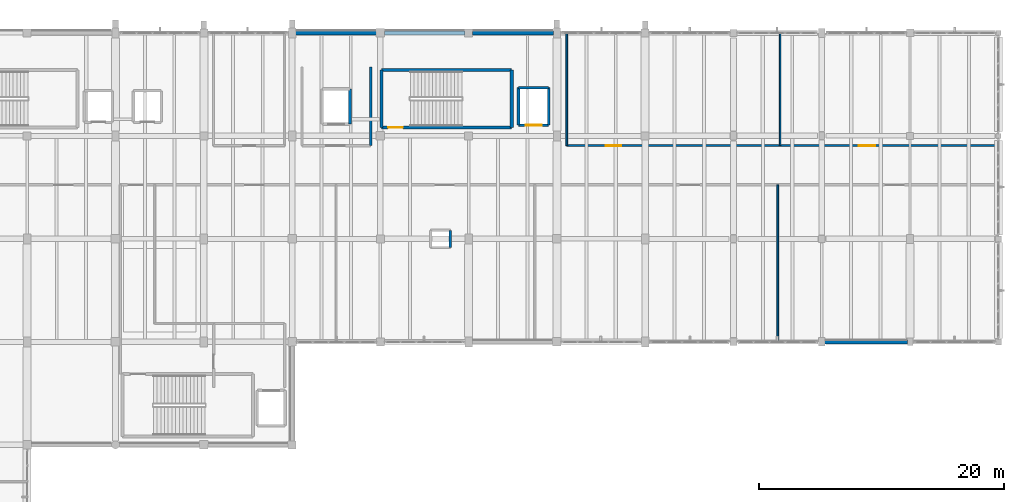
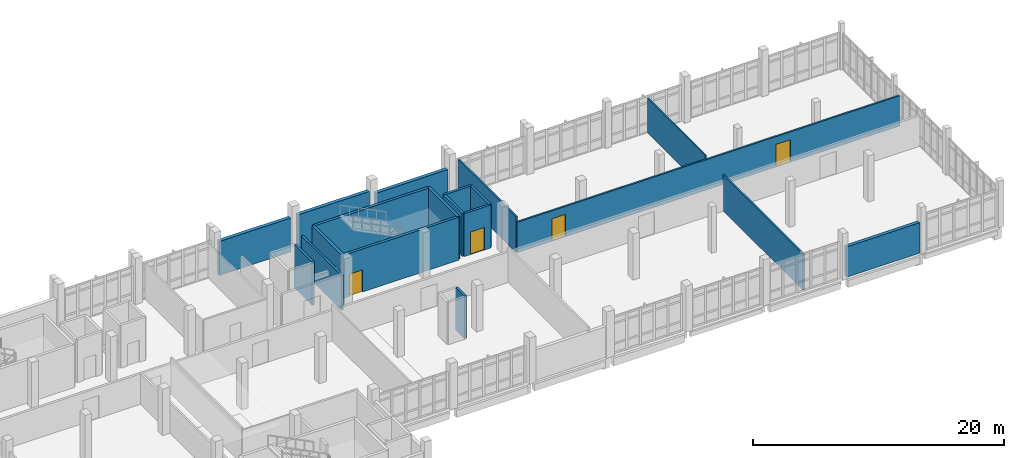
# One storey, part 51 of 57: 19 walls, 4 doors, 4 openings.
"""IFC4 building model written with IfcOpenShell, lengths in metres."""

from ifc_helpers import new_model, si_unit, direction, frame, frame_2d, origin, place, context, subcontext, project, spatial, rectangle, extrude, material, layer, layer_set, type_object, element, fill, save


model = new_model("IFC4")

# Units and contexts
model_context = context("Model", 3, precision=1e-05, world=origin(), true_north=direction((0.0, 1.0)))
body_context = subcontext(model_context, "Body", "Model", "MODEL_VIEW")
ifc_project = project(units=[si_unit("LENGTHUNIT", "METRE"), si_unit("AREAUNIT", "SQUARE_METRE"), si_unit("VOLUMEUNIT", "CUBIC_METRE"), si_unit("PLANEANGLEUNIT", "RADIAN"), si_unit("MASSUNIT", "GRAM", prefix="KILO")], contexts=[model_context])

# Site, building, storey
site_placement = place(None, origin())
site = spatial("IfcSite", under=ifc_project, at=site_placement, CompositionType="ELEMENT")
building_placement = place(site_placement, origin())
building = spatial("IfcBuilding", under=site, at=building_placement, Name="Kalluvel Institute of Natural Sciences", CompositionType="ELEMENT")
storey_placement = place(building_placement, frame((0.0, 0.0, 23.39990234375)))
storey = spatial("IfcBuildingStorey", under=building, at=storey_placement, Name="L05", CompositionType="ELEMENT", Elevation=23.39990234375)

# Wall, opening, door
ifc_material_1 = material(Name="Concrete M40", Category="concrete")
ifc_layer_1 = layer(ifc_material_1, 0.25)
ifc_layer_set_1 = layer_set([ifc_layer_1], Name="Concrete M40")
wall_type_1 = type_object("IfcWallType", Name="WL-CORE-250", PredefinedType="SHEAR", material=ifc_layer_set_1)
wall_1_placement = place(storey_placement, frame((64.485107421875, 120.284912109375, 0.0), z_axis=(0.0, 0.0, 1.0), x_axis=(1.0, 0.0, 0.0)))
wall_1 = element("IfcWall", 1, at=wall_1_placement, inside=storey, type_object=wall_type_1, Name="ST2 L05 core wall S", PredefinedType="SHEAR", context=body_context, shape_type="SweptSolid", body=[
    extrude(rectangle(XDim=10.6298828125, YDim=0.25, at=frame_2d((5.31494140625, 0.0))), origin(), (0.0, 0.0, 1.0), 4.175048828125),
])
opening_1_placement = place(wall_1_placement, frame((0.550048828125, 0.0, 0.0)))
opening_1 = element("IfcOpeningElement", 2, at=opening_1_placement, cuts=wall_1, Name="Opening DS-018", PredefinedType="OPENING", context=body_context, shape_type="SweptSolid", body=[
    extrude(rectangle(XDim=1.199951171875, YDim=2.14990234375, at=frame_2d((0.60009765625, 1.074951171875))), frame((0.0, 0.135009765625, 0.0), z_axis=(0.0, -1.0, 0.0), x_axis=(1.0, 0.0, 0.0)), (0.0, 0.0, 1.0), 0.27001953125),
])
ifc_material_2 = material(Name="Galvanized Fire-Rated Steel", Category="steel")
door_type_1 = type_object("IfcDoorType", Name="DR-ST-1200", OperationType="NOTDEFINED", PredefinedType="DOOR", material=ifc_material_2)
door_1_placement = place(opening_1_placement, origin())
door_1 = element("IfcDoor", 3, at=door_1_placement, inside=storey, type_object=door_type_1, Name="ST2 L05 protected stair door DS-018", OperationType="SINGLE_SWING_LEFT", OverallHeight=2.14990234375, OverallWidth=1.199951171875, PredefinedType="DOOR", context=body_context, shape_type="SweptSolid", body=[
    extrude(rectangle(XDim=1.199951171875, YDim=2.14990234375, at=frame_2d((0.60009765625, 1.074951171875))), frame((0.0, 0.02490234375, 0.0), z_axis=(0.0, -1.0, 0.0), x_axis=(1.0, 0.0, 0.0)), (0.0, 0.0, 1.0), 0.050048828125),
])
fill(opening_1, door_1)

# Walls
wall_2_placement = place(storey_placement, frame((75.114990234375, 120.284912109375, 0.0), z_axis=(0.0, 0.0, 1.0), x_axis=(0.0, 1.0, 0.0)))
element("IfcWall", 4, at=wall_2_placement, inside=storey, type_object=wall_type_1, Name="ST2 L05 core wall E", PredefinedType="SHEAR", context=body_context, shape_type="SweptSolid", body=[
    extrude(rectangle(XDim=4.7001953125, YDim=0.25, at=frame_2d((2.35009765625, 0.0))), origin(), (0.0, 0.0, 1.0), 4.175048828125),
])
wall_3_placement = place(storey_placement, frame((75.114990234375, 124.985107421875, 0.0), z_axis=(0.0, 0.0, 1.0), x_axis=(-1.0, 0.0, 0.0)))
element("IfcWall", 5, at=wall_3_placement, inside=storey, type_object=wall_type_1, Name="ST2 L05 core wall N", PredefinedType="SHEAR", context=body_context, shape_type="SweptSolid", body=[
    extrude(rectangle(XDim=10.6298828125, YDim=0.25, at=frame_2d((5.31494140625, 0.0))), origin(), (0.0, 0.0, 1.0), 4.175048828125),
])
wall_4_placement = place(storey_placement, frame((64.485107421875, 124.985107421875, 0.0), z_axis=(0.0, 0.0, 1.0), x_axis=(0.0, -1.0, 0.0)))
element("IfcWall", 6, at=wall_4_placement, inside=storey, type_object=wall_type_1, Name="ST2 L05 core wall W", PredefinedType="SHEAR", context=body_context, shape_type="SweptSolid", body=[
    extrude(rectangle(XDim=4.7001953125, YDim=0.25, at=frame_2d((2.35009765625, 0.0))), origin(), (0.0, 0.0, 1.0), 4.175048828125),
])
ifc_material_3 = material(Name="Sadarahalli Grey Granite Ashlar Concrete M40", Category="masonry")
ifc_layer_2 = layer(ifc_material_3, 0.300048828125)
ifc_layer_set_2 = layer_set([ifc_layer_2], Name="Sadarahalli Grey Granite Ashlar Concrete M40")
wall_type_2 = type_object("IfcWallType", Name="WL-EXT-300", PredefinedType="SOLIDWALL", material=ifc_layer_set_2)
wall_5_placement = place(storey_placement, frame((100.6298828125, 102.800048828125, 0.0), z_axis=(0.0, 0.0, 1.0), x_axis=(1.0, 0.0, 0.0)))
element("IfcWall", 7, at=wall_5_placement, inside=storey, type_object=wall_type_2, Name="L05 Sadarahalli granite exterior wall WL-EXT-L05-0070", PredefinedType="SOLIDWALL", context=body_context, shape_type="SweptSolid", body=[
    extrude(rectangle(XDim=6.76513671875, YDim=0.300048828125, at=frame_2d((3.382568359375, 0.0))), origin(), (0.0, 0.0, 1.0), 2.955078125),
])
ifc_layer_3 = layer(ifc_material_3, 0.320068359375)
ifc_layer_set_3 = layer_set([ifc_layer_3], Name="Sadarahalli Grey Granite Ashlar Concrete M40")
wall_type_3 = type_object("IfcWallType", Name="WL-EXT-320", PredefinedType="SOLIDWALL", material=ifc_layer_set_3)
wall_6_placement = place(storey_placement, frame((57.47998046875, 128.0, 0.0), z_axis=(0.0, 0.0, 1.0), x_axis=(1.0, 0.0, 0.0)))
element("IfcWall", 8, at=wall_6_placement, inside=storey, type_object=wall_type_3, Name="L05 Sadarahalli granite exterior wall WL-EXT-L05-0066", PredefinedType="SOLIDWALL", context=body_context, shape_type="SweptSolid", body=[
    extrude(rectangle(XDim=6.590087890625, YDim=0.320068359375, at=frame_2d((3.294921875, 0.0))), origin(), (0.0, 0.0, 1.0), 3.30517578125),
])
wall_7_placement = place(storey_placement, frame((64.72998046875, 128.0, 0.0), z_axis=(0.0, 0.0, 1.0), x_axis=(1.0, 0.0, 0.0)))
element("IfcWall", 9, at=wall_7_placement, inside=storey, type_object=wall_type_3, Name="L05 Sadarahalli granite exterior wall WL-EXT-L05-0067", PredefinedType="SOLIDWALL", context=body_context, shape_type="SweptSolid", body=[
    extrude(rectangle(XDim=6.56494140625, YDim=0.320068359375, at=frame_2d((3.282470703125, 0.0))), origin(), (0.0, 0.0, 1.0), 3.35498046875),
])
wall_8_placement = place(storey_placement, frame((71.905029296875, 128.0, 0.0), z_axis=(0.0, 0.0, 1.0), x_axis=(1.0, 0.0, 0.0)))
element("IfcWall", 10, at=wall_8_placement, inside=storey, type_object=wall_type_3, Name="L05 Sadarahalli granite exterior wall WL-EXT-L05-0068", PredefinedType="SOLIDWALL", context=body_context, shape_type="SweptSolid", body=[
    extrude(rectangle(XDim=6.614990234375, YDim=0.320068359375, at=frame_2d((3.3076171875, 0.0))), origin(), (0.0, 0.0, 1.0), 2.955078125),
])
ifc_material_4 = material(Name="Autoclaved Aerated Concrete Masonry Block", Category="masonry")
ifc_layer_4 = layer(ifc_material_4, 0.199951171875)
ifc_layer_set_4 = layer_set([ifc_layer_4], Name="Autoclaved Aerated Concrete Masonry Block")
wall_type_4 = type_object("IfcWallType", Name="WL-FIRE-200", PredefinedType="SOLIDWALL", material=ifc_layer_set_4)
wall_9_placement = place(storey_placement, frame((63.60009765625, 118.800048828125, 0.0), z_axis=(0.0, 0.0, 1.0), x_axis=(0.0, 1.0, 0.0)))
element("IfcWall", 11, at=wall_9_placement, inside=storey, type_object=wall_type_4, Name="L05 interior fire wall WL-INT-L05-0242", PredefinedType="SOLIDWALL", context=body_context, shape_type="SweptSolid", body=[
    extrude(rectangle(XDim=6.39990234375, YDim=0.199951171875, at=frame_2d((3.199951171875, 0.0))), origin(), (0.0, 0.0, 1.0), 3.360107421875),
])
ifc_material_5 = material(Name="Acoustic Gypsum Twin-Stud Partition", Category="gypsum")
ifc_layer_5 = layer(ifc_material_5, 0.1201171875)
ifc_layer_set_5 = layer_set([ifc_layer_5], Name="Acoustic Gypsum Twin-Stud Partition")
wall_type_5 = type_object("IfcWallType", Name="WL-PART-120", PredefinedType="PARTITIONING", material=ifc_layer_set_5)
wall_10_placement = place(storey_placement, frame((97.0, 118.800048828125, 0.0), z_axis=(0.0, 0.0, 1.0), x_axis=(0.0, 1.0, 0.0)))
element("IfcWall", 12, at=wall_10_placement, inside=storey, type_object=wall_type_5, Name="L05 interior partition wall WL-INT-L05-0260", PredefinedType="PARTITIONING", context=body_context, shape_type="SweptSolid", body=[
    extrude(rectangle(XDim=9.199951171875, YDim=0.1201171875, at=frame_2d((4.60009765625, 0.0))), origin(), (0.0, 0.0, 1.0), 3.360107421875),
])
ifc_layer_6 = layer(ifc_material_5, 0.139892578125)
ifc_layer_set_6 = layer_set([ifc_layer_6], Name="Acoustic Gypsum Twin-Stud Partition")
wall_type_6 = type_object("IfcWallType", Name="WL-PART-140", PredefinedType="PARTITIONING", material=ifc_layer_set_6)
wall_11_placement = place(storey_placement, frame((79.60009765625, 118.800048828125, 0.0), z_axis=(0.0, 0.0, 1.0), x_axis=(0.0, 1.0, 0.0)))
element("IfcWall", 13, at=wall_11_placement, inside=storey, type_object=wall_type_6, Name="L05 interior partition wall WL-INT-L05-0259", PredefinedType="PARTITIONING", context=body_context, shape_type="SweptSolid", body=[
    extrude(rectangle(XDim=9.199951171875, YDim=0.139892578125, at=frame_2d((4.60009765625, 0.0))), origin(), (0.0, 0.0, 1.0), 3.510009765625),
])
wall_12_placement = place(storey_placement, frame((96.800048828125, 102.800048828125, 0.0), z_axis=(0.0, 0.0, 1.0), x_axis=(0.0, 1.0, 0.0)))
element("IfcWall", 14, at=wall_12_placement, inside=storey, type_object=wall_type_6, Name="L05 interior partition wall WL-INT-L05-0265", PredefinedType="PARTITIONING", context=body_context, shape_type="SweptSolid", body=[
    extrude(rectangle(XDim=12.800048828125, YDim=0.139892578125, at=frame_2d((6.39990234375, 0.0))), origin(), (0.0, 0.0, 1.0), 3.510009765625),
])

# Wall, openings, doors
ifc_layer_7 = layer(ifc_material_4, 0.159912109375)
ifc_layer_set_7 = layer_set([ifc_layer_7], Name="Autoclaved Aerated Concrete Masonry Block")
wall_type_7 = type_object("IfcWallType", Name="WL-PART-160", PredefinedType="PARTITIONING", material=ifc_layer_set_7)
wall_13_placement = place(storey_placement, frame((79.60009765625, 118.800048828125, 0.0), z_axis=(0.0, 0.0, 1.0), x_axis=(1.0, 0.0, 0.0)))
wall_13 = element("IfcWall", 15, at=wall_13_placement, inside=storey, type_object=wall_type_7, Name="L05 interior partition wall WL-INT-L05-0258", PredefinedType="PARTITIONING", context=body_context, shape_type="SweptSolid", body=[
    extrude(rectangle(XDim=35.199951171875, YDim=0.159912109375, at=frame_2d((17.60009765625, 0.0))), origin(), (0.0, 0.0, 1.0), 2.960205078125),
])
opening_2_placement = place(wall_13_placement, frame((3.199951171875, 0.0, 0.0)))
opening_2 = element("IfcOpeningElement", 16, at=opening_2_placement, cuts=wall_13, Name="Opening D-198", PredefinedType="OPENING", context=body_context, shape_type="SweptSolid", body=[
    extrude(rectangle(XDim=1.25, YDim=2.199951171875, at=frame_2d((0.625, 1.10009765625))), frame((0.0, 0.08984375, 0.0), z_axis=(0.0, -1.0, 0.0), x_axis=(1.0, 0.0, 0.0)), (0.0, 0.0, 1.0), 0.179931640625),
])
opening_3_placement = place(wall_13_placement, frame((23.800048828125, 0.0, 0.0)))
opening_3 = element("IfcOpeningElement", 17, at=opening_3_placement, cuts=wall_13, Name="Opening D-199", PredefinedType="OPENING", context=body_context, shape_type="SweptSolid", body=[
    extrude(rectangle(XDim=1.35009765625, YDim=2.199951171875, at=frame_2d((0.675048828125, 1.10009765625))), frame((0.0, 0.08984375, 0.0), z_axis=(0.0, -1.0, 0.0), x_axis=(1.0, 0.0, 0.0)), (0.0, 0.0, 1.0), 0.179931640625),
])
ifc_material_6 = material(Name="Engineered Hardwood Acoustic Leaf", Category="wood")
door_type_2 = type_object("IfcDoorType", Name="DR-INT-1250", OperationType="NOTDEFINED", PredefinedType="DOOR", material=ifc_material_6)
door_2_placement = place(opening_2_placement, origin())
door_2 = element("IfcDoor", 18, at=door_2_placement, inside=storey, type_object=door_type_2, Name="L05 NE1 door D-198", OperationType="SINGLE_SWING_LEFT", OverallHeight=2.199951171875, OverallWidth=1.25, PredefinedType="DOOR", context=body_context, shape_type="SweptSolid", body=[
    extrude(rectangle(XDim=1.25, YDim=2.199951171875, at=frame_2d((0.625, 1.10009765625))), frame((0.0, 0.02490234375, 0.0), z_axis=(0.0, -1.0, 0.0), x_axis=(1.0, 0.0, 0.0)), (0.0, 0.0, 1.0), 0.050048828125),
])
fill(opening_2, door_2)
ifc_material_7 = material(Name="Aluminium AW-6063 T6", Category="aluminium")
door_type_3 = type_object("IfcDoorType", Name="DR-INT-1350", OperationType="NOTDEFINED", PredefinedType="DOOR", material=ifc_material_7)
door_3_placement = place(opening_3_placement, origin())
door_3 = element("IfcDoor", 19, at=door_3_placement, inside=storey, type_object=door_type_3, Name="L05 NE2 door D-199", OperationType="SINGLE_SWING_RIGHT", OverallHeight=2.199951171875, OverallWidth=1.35009765625, PredefinedType="DOOR", context=body_context, shape_type="SweptSolid", body=[
    extrude(rectangle(XDim=1.35009765625, YDim=2.199951171875, at=frame_2d((0.675048828125, 1.10009765625))), frame((0.0, 0.02490234375, 0.0), z_axis=(0.0, -1.0, 0.0), x_axis=(1.0, 0.0, 0.0)), (0.0, 0.0, 1.0), 0.050048828125),
])
fill(opening_3, door_3)

# Walls
ifc_layer_8 = layer(ifc_material_1, 0.199951171875)
ifc_layer_set_8 = layer_set([ifc_layer_8], Name="Concrete M40")
wall_type_8 = type_object("IfcWallType", Name="WL-RISER-200", PredefinedType="SHEAR", material=ifc_layer_set_8)
wall_14_placement = place(storey_placement, frame((70.10009765625, 110.5, 0.0), z_axis=(0.0, 0.0, 1.0), x_axis=(0.0, 1.0, 0.0)))
element("IfcWall", 20, at=wall_14_placement, inside=storey, type_object=wall_type_8, Name="RS-WET-E L05 service riser enclosure E", PredefinedType="SHEAR", context=body_context, shape_type="SweptSolid", body=[
    extrude(rectangle(XDim=1.39990234375, YDim=0.199951171875, at=frame_2d((0.699951171875, 0.0))), origin(), (0.0, 0.0, 1.0), 4.14013671875),
])
ifc_layer_9 = layer(ifc_material_1, 0.219970703125)
ifc_layer_set_9 = layer_set([ifc_layer_9], Name="Concrete M40")
wall_type_9 = type_object("IfcWallType", Name="WL-SHAFT-220", PredefinedType="SHEAR", material=ifc_layer_set_9)
wall_15_placement = place(storey_placement, frame((61.929931640625, 120.570068359375, 0.0), z_axis=(0.0, 0.0, 1.0), x_axis=(0.0, 1.0, 0.0)))
element("IfcWall", 21, at=wall_15_placement, inside=storey, type_object=wall_type_9, Name="LF3 L05 lift shaft wall", PredefinedType="SHEAR", context=body_context, shape_type="SweptSolid", body=[
    extrude(rectangle(XDim=2.85986328125, YDim=0.219970703125, at=frame_2d((1.429931640625, 0.0))), origin(), (0.0, 0.0, 1.0), 4.175048828125),
])

# Wall, opening, door
wall_16_placement = place(storey_placement, frame((75.669921875, 120.469970703125, 0.0), z_axis=(0.0, 0.0, 1.0), x_axis=(1.0, 0.0, 0.0)))
wall_16 = element("IfcWall", 22, at=wall_16_placement, inside=storey, type_object=wall_type_9, Name="LF4 L05 lift shaft wall", PredefinedType="SHEAR", context=body_context, shape_type="SweptSolid", body=[
    extrude(rectangle(XDim=2.4599609375, YDim=0.219970703125, at=frame_2d((1.22998046875, 0.0))), origin(), (0.0, 0.0, 1.0), 4.175048828125),
])
opening_4_placement = place(wall_16_placement, frame((0.580078125, 0.0, 0.0)))
opening_4 = element("IfcOpeningElement", 23, at=opening_4_placement, cuts=wall_16, Name="Opening LD-037", PredefinedType="OPENING", context=body_context, shape_type="SweptSolid", body=[
    extrude(rectangle(XDim=1.300048828125, YDim=2.199951171875, at=frame_2d((0.64990234375, 1.10009765625))), frame((0.0, 0.119873046875, 0.0), z_axis=(0.0, -1.0, 0.0), x_axis=(1.0, 0.0, 0.0)), (0.0, 0.0, 1.0), 0.239990234375),
])
door_type_4 = type_object("IfcDoorType", Name="DR-LD-1300", OperationType="NOTDEFINED", PredefinedType="DOOR", material=ifc_material_2)
door_4_placement = place(opening_4_placement, origin())
door_4 = element("IfcDoor", 24, at=door_4_placement, inside=storey, type_object=door_type_4, Name="LF4 L05 sliding lift landing door LD-037", OperationType="DOUBLE_DOOR_SLIDING", OverallHeight=2.199951171875, OverallWidth=1.300048828125, PredefinedType="DOOR", context=body_context, shape_type="SweptSolid", body=[
    extrude(rectangle(XDim=1.300048828125, YDim=2.199951171875, at=frame_2d((0.64990234375, 1.10009765625))), frame((0.0, 0.02490234375, 0.0), z_axis=(0.0, -1.0, 0.0), x_axis=(1.0, 0.0, 0.0)), (0.0, 0.0, 1.0), 0.050048828125),
])
fill(opening_4, door_4)

# Walls
wall_17_placement = place(storey_placement, frame((78.1298828125, 120.469970703125, 0.0), z_axis=(0.0, 0.0, 1.0), x_axis=(0.0, 1.0, 0.0)))
element("IfcWall", 25, at=wall_17_placement, inside=storey, type_object=wall_type_9, Name="LF4 L05 lift shaft wall", PredefinedType="SHEAR", context=body_context, shape_type="SweptSolid", body=[
    extrude(rectangle(XDim=3.06005859375, YDim=0.219970703125, at=frame_2d((1.530029296875, 0.0))), origin(), (0.0, 0.0, 1.0), 4.175048828125),
])
wall_18_placement = place(storey_placement, frame((78.1298828125, 123.530029296875, 0.0), z_axis=(0.0, 0.0, 1.0), x_axis=(-1.0, 0.0, 0.0)))
element("IfcWall", 26, at=wall_18_placement, inside=storey, type_object=wall_type_9, Name="LF4 L05 lift shaft wall", PredefinedType="SHEAR", context=body_context, shape_type="SweptSolid", body=[
    extrude(rectangle(XDim=2.4599609375, YDim=0.219970703125, at=frame_2d((1.22998046875, 0.0))), origin(), (0.0, 0.0, 1.0), 4.175048828125),
])
wall_19_placement = place(storey_placement, frame((75.669921875, 123.530029296875, 0.0), z_axis=(0.0, 0.0, 1.0), x_axis=(0.0, -1.0, 0.0)))
element("IfcWall", 27, at=wall_19_placement, inside=storey, type_object=wall_type_9, Name="LF4 L05 lift shaft wall", PredefinedType="SHEAR", context=body_context, shape_type="SweptSolid", body=[
    extrude(rectangle(XDim=3.06005859375, YDim=0.219970703125, at=frame_2d((1.530029296875, 0.0))), origin(), (0.0, 0.0, 1.0), 4.175048828125),
])

save(model, "model.ifc")
